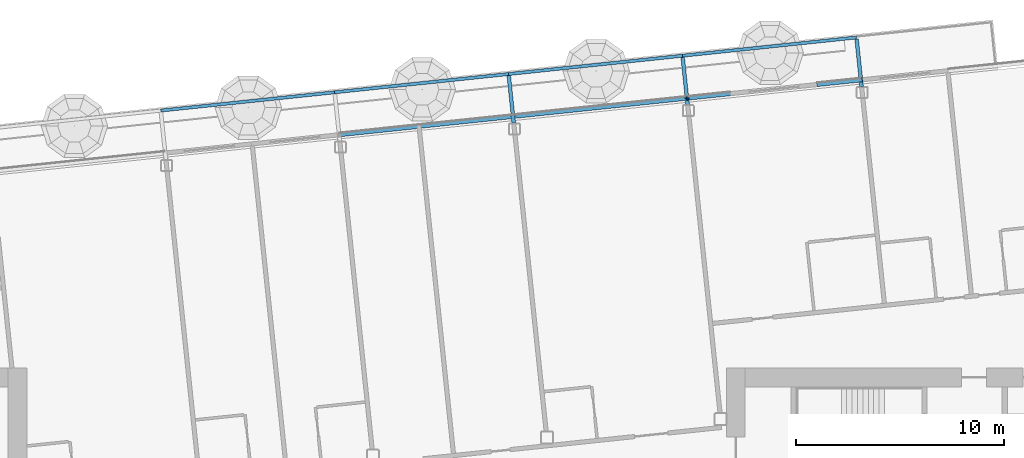
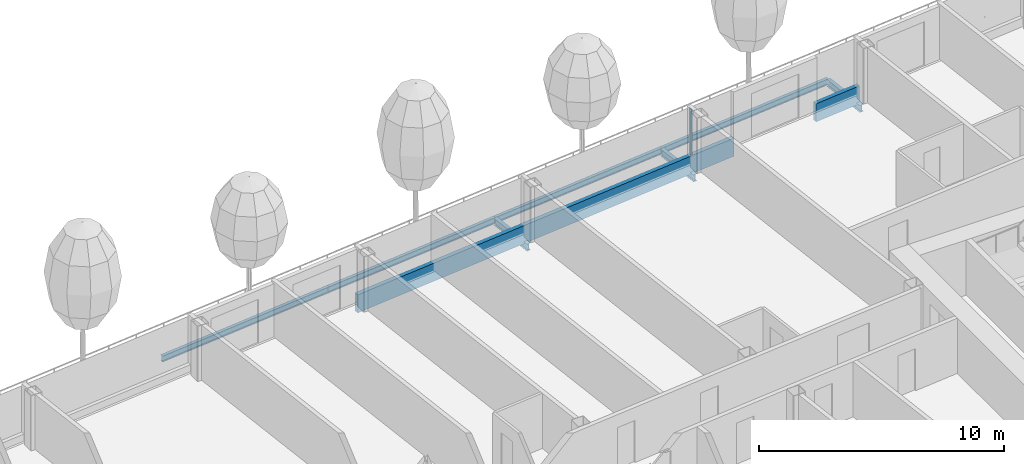
# One storey, part 8 of 30: 7 beams, 3 members, 1 element without a shape of its own.
"""IFC4 building model written with IfcOpenShell, lengths in metres."""

from ifc_helpers import new_model, si_unit, direction, frame, origin, origin_2d, place, context, subcontext, project, spatial, rectangle, i_section, extrude, material, layer, layer_set, material_profile, profile_set, type_object, element, aggregate, save


model = new_model("IFC4")

# Units and contexts
model_context = context("Model", 3, precision=1e-05, world=origin(), true_north=direction((0.0, 1.0)))
body_context = subcontext(model_context, "Body", "Model", "MODEL_VIEW")
ifc_project = project(units=[si_unit("LENGTHUNIT", "METRE"), si_unit("AREAUNIT", "SQUARE_METRE"), si_unit("VOLUMEUNIT", "CUBIC_METRE"), si_unit("PLANEANGLEUNIT", "RADIAN"), si_unit("MASSUNIT", "GRAM", prefix="KILO")], contexts=[model_context])

# Site, building, storey
site_placement = place(None, origin())
site = spatial("IfcSite", under=ifc_project, at=site_placement, CompositionType="ELEMENT")
building_placement = place(site_placement, origin())
building = spatial("IfcBuilding", under=site, at=building_placement, Name="Hakoniwa Tower and Hamabe Station Hall", CompositionType="ELEMENT")
storey_placement = place(building_placement, frame((0.0, 0.0, 245.39990234375)))
storey = spatial("IfcBuildingStorey", under=building, at=storey_placement, Name="L69", CompositionType="ELEMENT", Elevation=245.39990234375)

# Beams
ifc_material_1 = material(Name="Steel SN490B", Category="steel")
ifc_material_profile_1 = material_profile(ifc_material_1, i_section(OverallWidth=0.175048828125, OverallDepth=0.35009765625, WebThickness=0.007080078125, FlangeThickness=0.010986328125, FilletRadius=0.013916015625, at=origin_2d()), Name="H-350x175x7x11")
ifc_profile_set_1 = profile_set([ifc_material_profile_1], Name="Steel SN490B")
beam_type_1 = type_object("IfcBeamType", Name="BALCONY BRACKET H-350x175x7x11", PredefinedType="BEAM", material=ifc_profile_set_1)
for number, where, z_axis, x_axis, name in (
    (1, (6.590087890625, 20.16064453125, -0.625), (-0.104557694553, 0.994518822602, 0.0), (-0.994518822602, -0.104557694553, 0.0), "Balcony bracket B5-8-F5"),
    (2, (14.944091796875, 21.03857421875, -0.625), (-0.104557694553, 0.994518822602, 0.0), (-0.994518822602, -0.104557694553, 0.0), "Balcony bracket B5-9-F5"),
    (3, (23.298095703125, 21.916748046875, -0.625), (-0.104557694553, 0.994518822602, 0.0), (-0.994518822602, -0.104557694553, 0.0), "Balcony bracket B5-10-F5"),
):
    element("IfcBeam", number, at=place(storey_placement, frame(where, z_axis=z_axis, x_axis=x_axis)), inside=storey, type_object=beam_type_1, Name=name, PredefinedType="BEAM", context=body_context, shape_type="SweptSolid", body=[
        extrude(i_section(OverallWidth=0.175048828125, OverallDepth=0.35009765625, WebThickness=0.007080078125, FlangeThickness=0.010986328125, FilletRadius=0.013916015625, at=origin_2d()), origin(), (0.0, 0.0, 1.0), 2.300048828125),
    ])
ifc_material_2 = material(Name="Steel SN490B", Category="steel")
ifc_material_profile_2 = material_profile(ifc_material_2, i_section(OverallWidth=0.14990234375, OverallDepth=0.300048828125, WebThickness=0.006591796875, FlangeThickness=0.009033203125, FilletRadius=0.012939453125, at=origin_2d()), Name="H-300x150x6.5x9")
ifc_profile_set_2 = profile_set([ifc_material_profile_2], Name="Steel SN490B")
beam_type_2 = type_object("IfcBeamType", Name="BALCONY EDGE BEAM H-300x150x6.5x9", PredefinedType="BEAM", material=ifc_profile_set_2)
beam_1_placement = place(storey_placement, frame((-10.3662109375, 20.7666015625, -0.599853515625), z_axis=(0.994523275226, 0.104515333968, 0.0), x_axis=(-0.104515333968, 0.994523275226, 0.0)))
element("IfcBeam", 4, at=beam_1_placement, inside=storey, type_object=beam_type_2, Name="Balcony edge beam B5-6-F5-B5-7-F5", PredefinedType="BEAM", context=body_context, shape_type="SweptSolid", body=[
    extrude(i_section(OverallWidth=0.14990234375, OverallDepth=0.300048828125, WebThickness=0.006591796875, FlangeThickness=0.009033203125, FilletRadius=0.012939453125, at=origin_2d()), origin(), (0.0, 0.0, 1.0), 8.39990234375),
])
beam_2_placement = place(storey_placement, frame((-2.01220703125, 21.64453125, -0.599853515625), z_axis=(0.994520253788, 0.104544080685, 0.0), x_axis=(-0.104544080685, 0.994520253788, 0.0)))
element("IfcBeam", 5, at=beam_2_placement, inside=storey, type_object=beam_type_2, Name="Balcony edge beam B5-7-F5-B5-8-F5", PredefinedType="BEAM", context=body_context, shape_type="SweptSolid", body=[
    extrude(i_section(OverallWidth=0.14990234375, OverallDepth=0.300048828125, WebThickness=0.006591796875, FlangeThickness=0.009033203125, FilletRadius=0.012939453125, at=origin_2d()), origin(), (0.0, 0.0, 1.0), 8.400146484375),
])
beam_3_placement = place(storey_placement, frame((6.341796875, 22.522705078125, -0.599853515625), z_axis=(0.994523275226, 0.104515333968, 0.0), x_axis=(-0.104515333968, 0.994523275226, 0.0)))
element("IfcBeam", 6, at=beam_3_placement, inside=storey, type_object=beam_type_2, Name="Balcony edge beam B5-8-F5-B5-9-F5", PredefinedType="BEAM", context=body_context, shape_type="SweptSolid", body=[
    extrude(i_section(OverallWidth=0.14990234375, OverallDepth=0.300048828125, WebThickness=0.006591796875, FlangeThickness=0.009033203125, FilletRadius=0.012939453125, at=origin_2d()), origin(), (0.0, 0.0, 1.0), 8.39990234375),
])
beam_4_placement = place(storey_placement, frame((14.69580078125, 23.400634765625, -0.599853515625), z_axis=(0.994520253788, 0.104544080685, 0.0), x_axis=(-0.104544080685, 0.994520253788, 0.0)))
element("IfcBeam", 7, at=beam_4_placement, inside=storey, type_object=beam_type_2, Name="Balcony edge beam B5-9-F5-B5-10-F5", PredefinedType="BEAM", context=body_context, shape_type="SweptSolid", body=[
    extrude(i_section(OverallWidth=0.14990234375, OverallDepth=0.300048828125, WebThickness=0.006591796875, FlangeThickness=0.009033203125, FilletRadius=0.012939453125, at=origin_2d()), origin(), (0.0, 0.0, 1.0), 8.400146484375),
])

# Curtain wall, members
ifc_material_3 = material(Name="Dark low-e laminated glass", Category="glass")
ifc_layer = layer(ifc_material_3, 0.199951171875)
ifc_layer_set = layer_set([ifc_layer], Name="CW-1 UNITISED GUEST")
curtain_wall_type = type_object("IfcCurtainWallType", Name="CW-1 UNITISED GUEST", PredefinedType="NOTDEFINED", material=ifc_layer_set)
curtain_wall_placement = place(storey_placement, origin())
curtain_wall = element("IfcCurtainWall", 8, at=curtain_wall_placement, inside=storey, type_object=curtain_wall_type, Name="CW-1 curtain wall", PredefinedType="NOTDEFINED")
ifc_material_4 = material(Name="Aluminium 6063-T5 black anodised", Category="aluminium")
ifc_material_profile_3 = material_profile(ifc_material_4, rectangle(XDim=0.199951171875, YDim=0.89990234375, at=origin_2d()), Name="CW SLAB-EDGE BAND 900X200")
ifc_profile_set_3 = profile_set([ifc_material_profile_3], Name="Aluminium 6063-T5 black anodised")
member_type_1 = type_object("IfcMemberType", Name="CW SLAB-EDGE BAND 900X200", PredefinedType="USERDEFINED", material=ifc_profile_set_3)
member_1_placement = place(storey_placement, frame((23.32373046875, 22.24609375, -0.099853515625), z_axis=(-0.994529250679, -0.104458458456, 0.0), x_axis=(0.104458458456, -0.994529250679, 0.0)))
member_1 = element("IfcMember", 9, at=member_1_placement, type_object=member_type_1, Name="CW-1 transom", ObjectType="TRANSOM", PredefinedType="USERDEFINED", context=body_context, shape_type="SweptSolid", body=[
    extrude(rectangle(XDim=0.199951171875, YDim=0.89990234375, at=origin_2d()), origin(), (0.0, 0.0, 1.0), 2.18994140625),
])
member_2_placement = place(storey_placement, frame((17.0283203125, 21.58447265625, -0.099853515625), z_axis=(-0.994522628175, -0.104521490842, 0.0), x_axis=(0.104521490842, -0.994522628175, 0.0)))
member_2 = element("IfcMember", 10, at=member_2_placement, type_object=member_type_1, Name="CW-1 transom", ObjectType="TRANSOM", PredefinedType="USERDEFINED", context=body_context, shape_type="SweptSolid", body=[
    extrude(rectangle(XDim=0.199951171875, YDim=0.89990234375, at=origin_2d()), origin(), (0.0, 0.0, 1.0), 18.989990234375),
])
ifc_material_5 = material(Name="Aluminium 6063-T5 black anodised", Category="aluminium")
ifc_material_profile_4 = material_profile(ifc_material_5, rectangle(XDim=0.06005859375, YDim=0.179931640625, at=origin_2d()), Name="CW-1 MULLION 60X180")
ifc_profile_set_4 = profile_set([ifc_material_profile_4], Name="Aluminium 6063-T5 black anodised")
member_type_2 = type_object("IfcMemberType", Name="CW-1 MULLION 60X180", PredefinedType="MULLION", material=ifc_profile_set_4)
member_3_placement = place(storey_placement, frame((14.911865234375, 21.343994140625, 0.35009765625), z_axis=(0.0, 0.0, 1.0), x_axis=(-0.994521895272, -0.104528464188, 0.0)))
member_3 = element("IfcMember", 11, at=member_3_placement, type_object=member_type_2, Name="CW-1 mullion", PredefinedType="MULLION", context=body_context, shape_type="SweptSolid", body=[
    extrude(rectangle(XDim=0.06005859375, YDim=0.179931640625, at=origin_2d()), origin(), (0.0, 0.0, 1.0), 2.300048828125),
])
aggregate(curtain_wall, [member_3, member_1, member_2])

save(model, "model.ifc")
